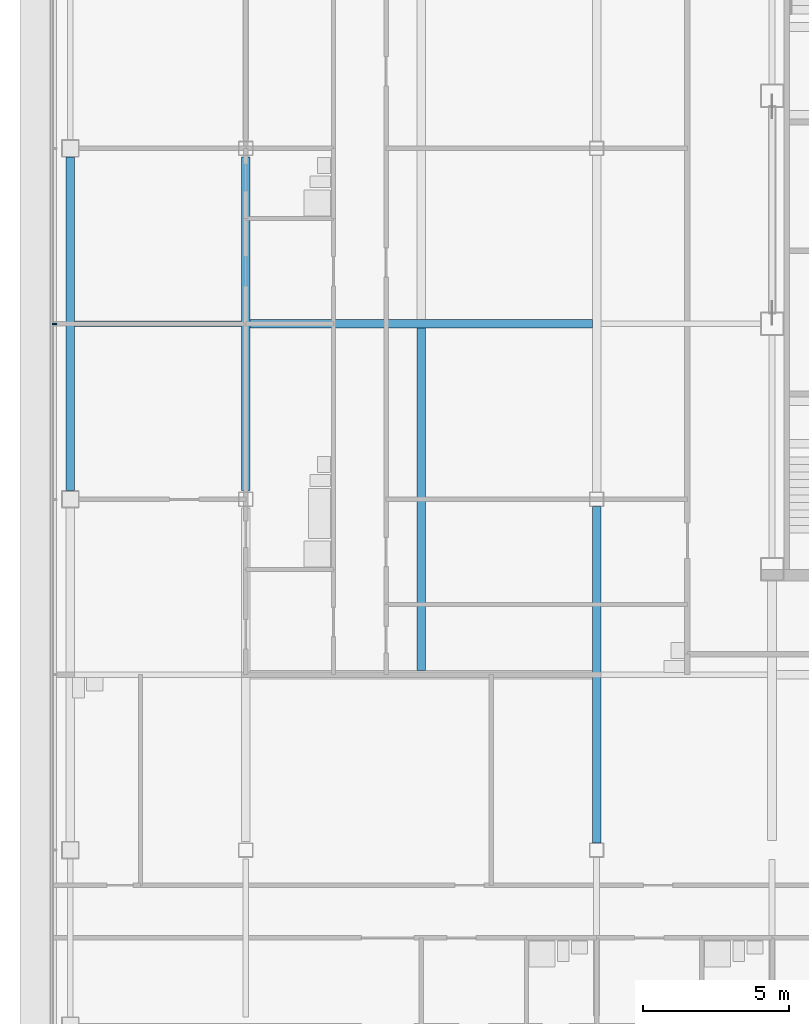
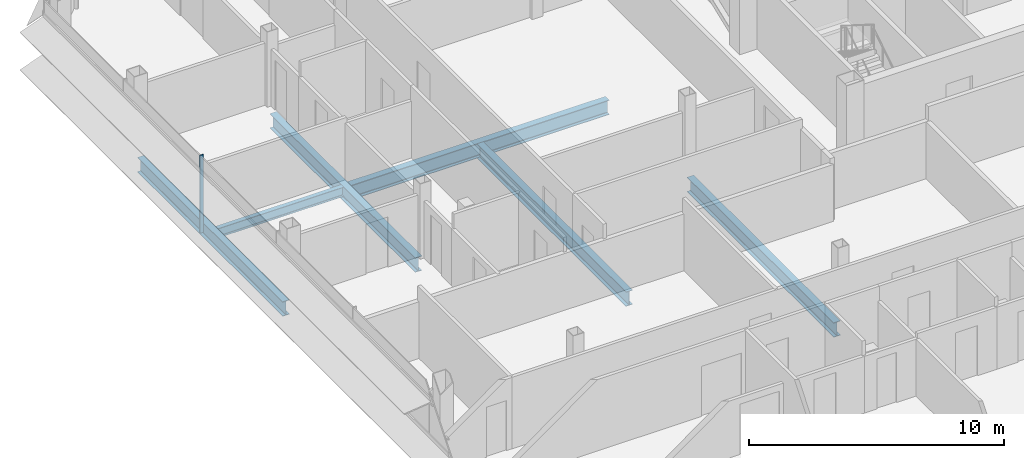
# One storey, part 7 of 28: 6 beams, 1 member, 1 element without a shape of its own.
"""IFC4 building model written with IfcOpenShell, lengths in metres."""

from ifc_helpers import new_model, si_unit, direction, frame, origin, origin_2d, place, context, subcontext, project, spatial, rectangle, i_section, extrude, material, material_profile, profile_set, type_object, element, aggregate, save


model = new_model("IFC4")

# Units and contexts
model_context = context("Model", 3, precision=1e-05, world=origin(), true_north=direction((0.0, 1.0)))
body_context = subcontext(model_context, "Body", "Model", "MODEL_VIEW")
ifc_project = project(units=[si_unit("LENGTHUNIT", "METRE"), si_unit("AREAUNIT", "SQUARE_METRE"), si_unit("VOLUMEUNIT", "CUBIC_METRE"), si_unit("PLANEANGLEUNIT", "RADIAN"), si_unit("MASSUNIT", "GRAM", prefix="KILO")], contexts=[model_context])

# Site, building, storey
site_placement = place(None, origin())
site = spatial("IfcSite", under=ifc_project, at=site_placement, CompositionType="ELEMENT")
building_placement = place(site_placement, origin())
building = spatial("IfcBuilding", under=site, at=building_placement, Name="Sorahane Residences", CompositionType="ELEMENT")
storey_placement = place(building_placement, frame((0.0, 0.0, 290.800048828125)))
storey = spatial("IfcBuildingStorey", under=building, at=storey_placement, Name="L68", CompositionType="ELEMENT", Elevation=290.800048828125)

# Curtain wall, member
ifc_material_1 = material(Name="Dark low-e glass and black anodised aluminium", Category="aluminium")
curtain_wall_type = type_object("IfcCurtainWallType", Name="Curtain wall CW-1 Typical unitised wall", PredefinedType="NOTDEFINED", material=ifc_material_1)
curtain_wall_placement = place(storey_placement, origin())
curtain_wall = element("IfcCurtainWall", 1, at=curtain_wall_placement, inside=storey, type_object=curtain_wall_type, Name="CW-1 curtain wall L68 W1", PredefinedType="NOTDEFINED")
ifc_material_2 = material(Name="Black anodised aluminium", Category="aluminium")
ifc_material_profile_1 = material_profile(ifc_material_2, rectangle(XDim=0.159912109375, YDim=0.050048828125, at=origin_2d()), Name="Curtain wall mullion CW-1 black anodised aluminium 50x160")
ifc_profile_set_1 = profile_set([ifc_material_profile_1], Name="Black anodised aluminium")
member_type = type_object("IfcMemberType", Name="Curtain wall mullion CW-1 black anodised aluminium 50x160", PredefinedType="MULLION", material=ifc_profile_set_1)
member_placement = place(storey_placement, frame((-18.5400390625, 30.0, -0.300048828125), z_axis=(0.0, 0.0, 1.0), x_axis=(-1.0, 0.0, 0.0)))
member = element("IfcMember", 2, at=member_placement, type_object=member_type, Name="CW-1 mullion L68 W1.3", PredefinedType="MULLION", context=body_context, shape_type="SweptSolid", body=[
    extrude(rectangle(XDim=0.159912109375, YDim=0.050048828125, at=origin_2d()), origin(), (0.0, 0.0, 1.0), 3.719970703125),
])
aggregate(curtain_wall, [member])

# Beams
ifc_material_3 = material(Name="Steel Q355B", Category="steel")
ifc_material_profile_2 = material_profile(ifc_material_3, i_section(OverallWidth=0.199951171875, OverallDepth=0.449951171875, WebThickness=0.009033203125, FlangeThickness=0.013916015625, FilletRadius=0.02001953125, at=origin_2d()), Name="HN 450x200x9x14")
ifc_profile_set_2 = profile_set([ifc_material_profile_2], Name="Steel Q355B")
beam_type_1 = type_object("IfcBeamType", Name="Steel floor beam HN 450x200x9x14 Q355B", PredefinedType="BEAM", material=ifc_profile_set_2)
beam_1_placement = place(storey_placement, frame((-17.85009765625, 30.0, -0.525146484375), z_axis=(1.0, 0.0, 0.0), x_axis=(0.0, 1.0, 0.0)))
element("IfcBeam", 3, at=beam_1_placement, inside=storey, type_object=beam_type_1, Name="Beam L68 066", PredefinedType="BEAM", context=body_context, shape_type="SweptSolid", body=[
    extrude(i_section(OverallWidth=0.199951171875, OverallDepth=0.449951171875, WebThickness=0.009033203125, FlangeThickness=0.013916015625, FilletRadius=0.02001953125, at=origin_2d()), origin(), (0.0, 0.0, 1.0), 5.7001953125),
])
ifc_material_4 = material(Name="Steel Q355B", Category="steel")
ifc_material_profile_3 = material_profile(ifc_material_4, i_section(OverallWidth=0.300048828125, OverallDepth=0.699951171875, WebThickness=0.012939453125, FlangeThickness=0.02392578125, FilletRadius=0.028076171875, at=origin_2d()), Name="HN 700x300x13x24")
ifc_profile_set_3 = profile_set([ifc_material_profile_3], Name="Steel Q355B")
beam_type_2 = type_object("IfcBeamType", Name="Steel floor beam HN 700x300x13x24 Q355B", PredefinedType="BEAM", material=ifc_profile_set_3)
for number, where, z_axis, x_axis, name in (
    (4, (-18.0, 24.300048828125, -0.650146484375), (0.0, 1.0, 0.0), (-1.0, 0.0, 0.0), "Beam L68 002"),
    (5, (-12.0, 24.300048828125, -0.650146484375), (0.0, 1.0, 0.0), (-1.0, 0.0, 0.0), "Beam L68 007"),
):
    element("IfcBeam", number, at=place(storey_placement, frame(where, z_axis=z_axis, x_axis=x_axis)), inside=storey, type_object=beam_type_2, Name=name, PredefinedType="BEAM", context=body_context, shape_type="SweptSolid", body=[
        extrude(i_section(OverallWidth=0.300048828125, OverallDepth=0.699951171875, WebThickness=0.012939453125, FlangeThickness=0.02392578125, FilletRadius=0.028076171875, at=origin_2d()), origin(), (0.0, 0.0, 1.0), 11.39990234375),
    ])
beam_2_placement = place(storey_placement, frame((0.0, 12.25, -0.650146484375), z_axis=(0.0, 1.0, 0.0), x_axis=(-1.0, 0.0, 0.0)))
element("IfcBeam", 6, at=beam_2_placement, inside=storey, type_object=beam_type_2, Name="Beam L68 012", PredefinedType="BEAM", context=body_context, shape_type="SweptSolid", body=[
    extrude(i_section(OverallWidth=0.300048828125, OverallDepth=0.699951171875, WebThickness=0.012939453125, FlangeThickness=0.02392578125, FilletRadius=0.028076171875, at=origin_2d()), origin(), (0.0, 0.0, 1.0), 11.5),
])
beam_3_placement = place(storey_placement, frame((-11.85009765625, 30.0, -0.650146484375), z_axis=(1.0, 0.0, 0.0), x_axis=(0.0, 1.0, 0.0)))
element("IfcBeam", 7, at=beam_3_placement, inside=storey, type_object=beam_type_2, Name="Beam L68 067", PredefinedType="BEAM", context=body_context, shape_type="SweptSolid", body=[
    extrude(i_section(OverallWidth=0.300048828125, OverallDepth=0.699951171875, WebThickness=0.012939453125, FlangeThickness=0.02392578125, FilletRadius=0.028076171875, at=origin_2d()), origin(), (0.0, 0.0, 1.0), 11.7001953125),
])
beam_4_placement = place(storey_placement, frame((-6.0, 18.150146484375, -0.650146484375), z_axis=(0.0, 1.0, 0.0), x_axis=(-1.0, 0.0, 0.0)))
element("IfcBeam", 8, at=beam_4_placement, inside=storey, type_object=beam_type_2, Name="Beam L68 070", PredefinedType="BEAM", context=body_context, shape_type="SweptSolid", body=[
    extrude(i_section(OverallWidth=0.300048828125, OverallDepth=0.699951171875, WebThickness=0.012939453125, FlangeThickness=0.02392578125, FilletRadius=0.028076171875, at=origin_2d()), origin(), (0.0, 0.0, 1.0), 11.69970703125),
])

save(model, "model.ifc")
